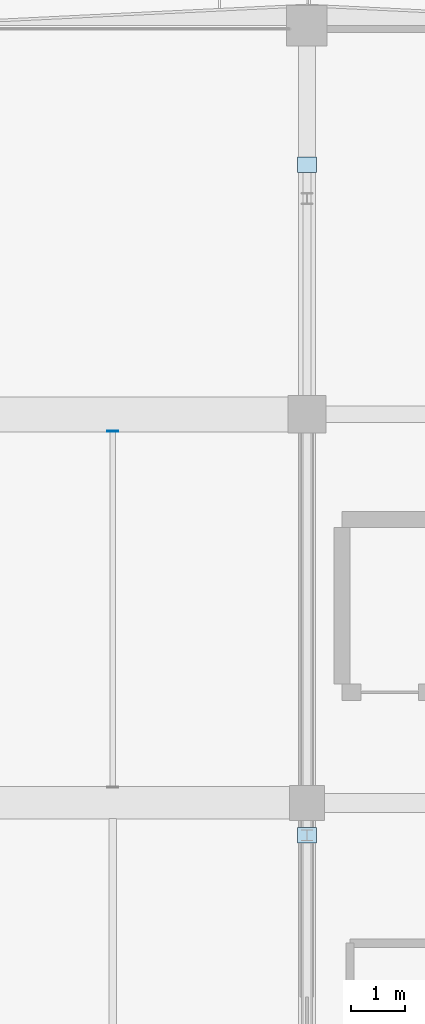
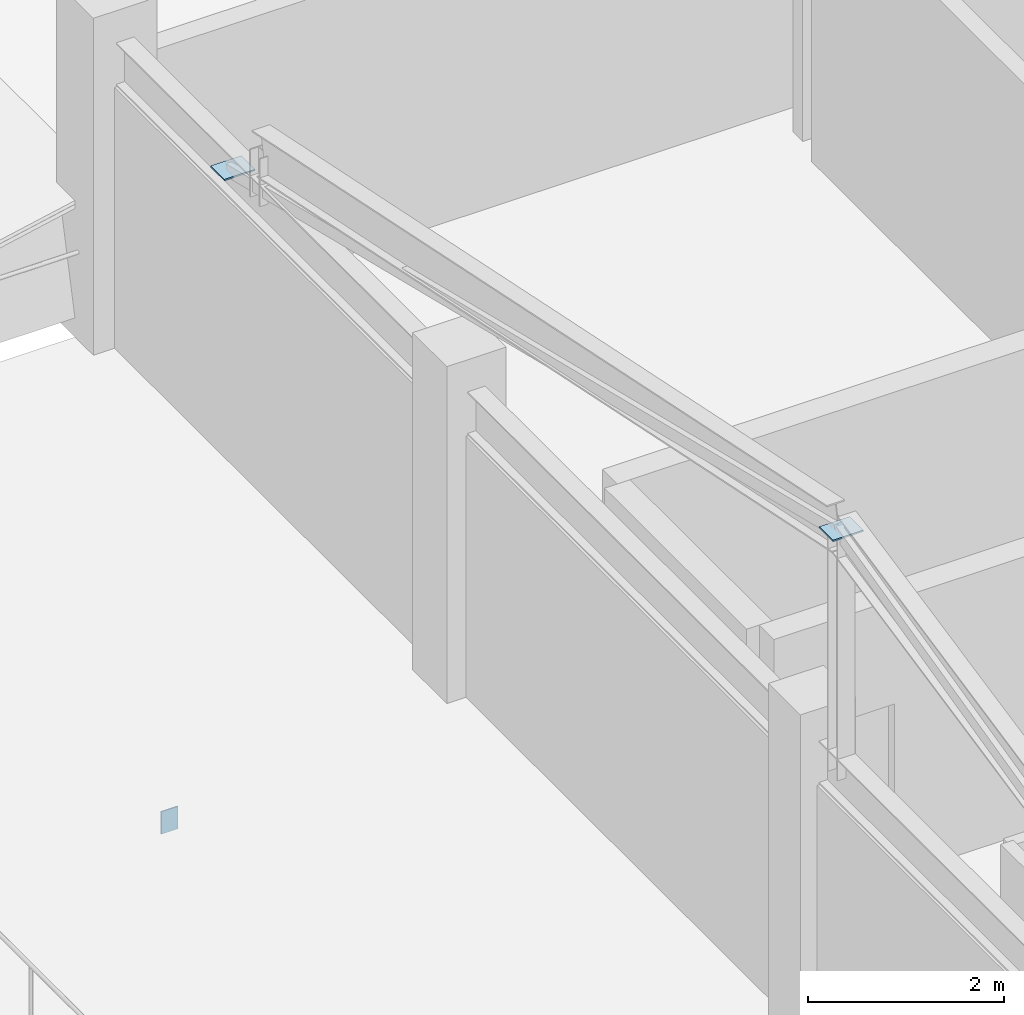
# One storey, part 25 of 41: 3 plates.
"""IFC4 building model written with IfcOpenShell, lengths in metres."""

from ifc_helpers import new_model, si_unit, direction, frame, origin, origin_2d, place, context, subcontext, project, spatial, rectangle, extrude, material, layer, layer_set, type_object, element, save


model = new_model("IFC4")

# Units and contexts
model_context = context("Model", 3, precision=1e-05, world=origin(), true_north=direction((0.0, 1.0)))
body_context = subcontext(model_context, "Body", "Model", "MODEL_VIEW")
ifc_project = project(units=[si_unit("LENGTHUNIT", "METRE"), si_unit("AREAUNIT", "SQUARE_METRE"), si_unit("VOLUMEUNIT", "CUBIC_METRE"), si_unit("PLANEANGLEUNIT", "RADIAN"), si_unit("MASSUNIT", "GRAM", prefix="KILO")], contexts=[model_context])

# Site, building, storey
site_placement = place(None, origin())
site = spatial("IfcSite", under=ifc_project, at=site_placement, CompositionType="ELEMENT")
building_placement = place(site_placement, origin())
building = spatial("IfcBuilding", under=site, at=building_placement, Name="Solanera Park Tramway Depot", CompositionType="ELEMENT")
storey_placement = place(building_placement, frame((0.0, 0.0, 13.199951171875)))
storey = spatial("IfcBuildingStorey", under=building, at=storey_placement, Name="L03", CompositionType="ELEMENT", Elevation=13.199951171875)

# Plates
ifc_material_1 = material(Name="Steel AS/NZS 3679.1 Grade 350", Category="steel")
ifc_layer_1 = layer(ifc_material_1, 0.013916015625)
ifc_layer_set_1 = layer_set([ifc_layer_1], Name="Steel AS/NZS 3679.1 Grade 350")
plate_type_1 = type_object("IfcPlateType", Name="Hollow End Cap and Base Plate 280x200x14", PredefinedType="USERDEFINED", material=ifc_layer_set_1)
plate_placement = place(storey_placement, frame((111.60009765625, 24.885986328125, -0.47412109375), z_axis=(0.0, 0.0, 1.0), x_axis=(0.0, 1.0, 0.0)))
element("IfcPlate", 1, at=plate_placement, inside=storey, type_object=plate_type_1, Name="Hollow Section Welded End Cap Plate #0059", ObjectType="BASE PLATE", PredefinedType="USERDEFINED", context=body_context, shape_type="SweptSolid", body=[
    extrude(rectangle(XDim=0.013916015625, YDim=0.199951171875, at=origin_2d()), origin(), (0.0, 0.0, 1.0), 0.280029296875),
])
ifc_material_2 = material(Name="Steel AS/NZS 3679.1 Grade 350", Category="steel")
ifc_layer_2 = layer(ifc_material_2, 0.01806640625)
ifc_layer_set_2 = layer_set([ifc_layer_2], Name="Steel AS/NZS 3679.1 Grade 350")
plate_type_2 = type_object("IfcPlateType", Name="Hollow End Cap and Base Plate 360x280x18", PredefinedType="USERDEFINED", material=ifc_layer_set_2)
for number, where, z_axis, x_axis, name in (
    (2, (115.199951171875, 17.39990234375, 6.5615234375), (0.0, 0.0, 1.0), (1.0, 0.0, 0.0), "Hip Truss Web Sealed Cap Plate #1129"),
    (3, (115.199951171875, 29.824951171875, 3.5244140625), (0.0, 0.0, 1.0), (1.0, 0.0, 0.0), "Hip Truss Web Sealed Cap Plate #1130"),
):
    element("IfcPlate", number, at=place(storey_placement, frame(where, z_axis=z_axis, x_axis=x_axis)), inside=storey, type_object=plate_type_2, Name=name, ObjectType="BASE PLATE", PredefinedType="USERDEFINED", context=body_context, shape_type="SweptSolid", body=[
        extrude(rectangle(XDim=0.360107421875, YDim=0.280029296875, at=origin_2d()), origin(), (0.0, 0.0, 1.0), 0.01806640625),
    ])

save(model, "model.ifc")
